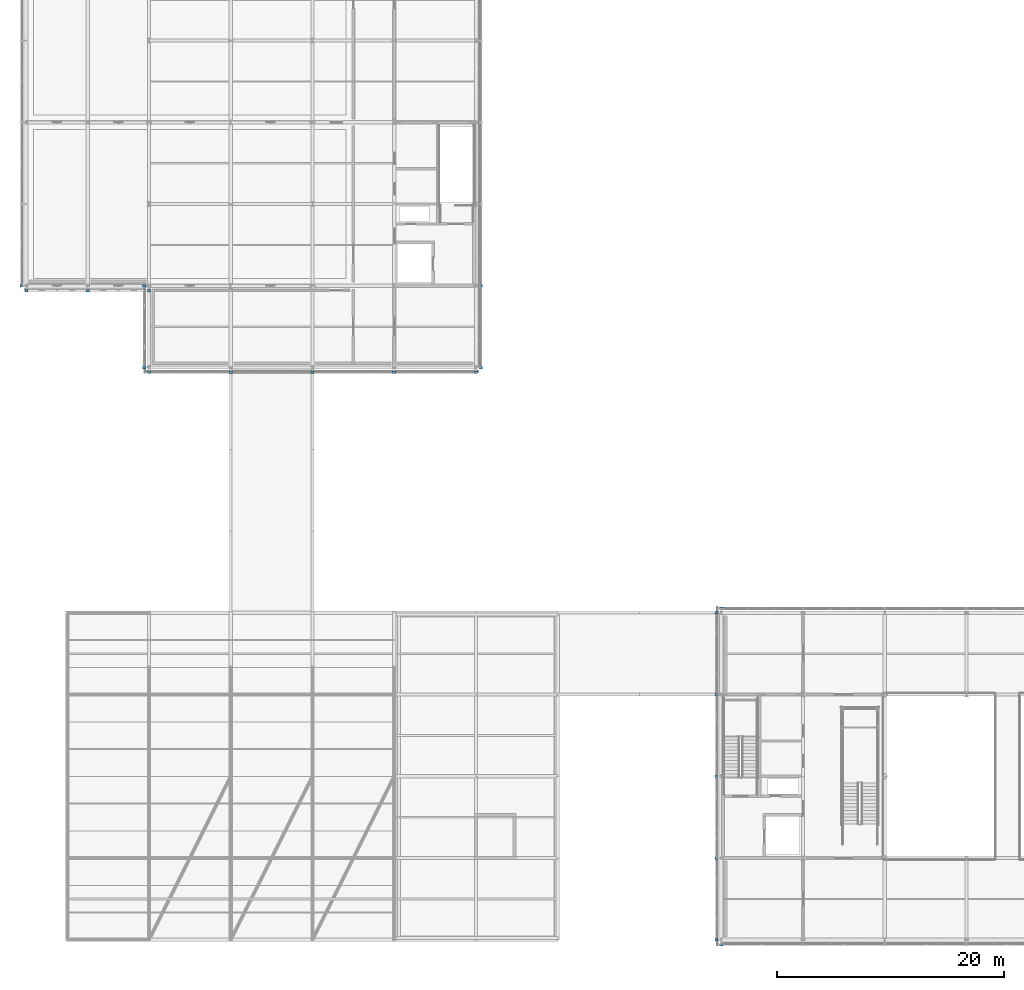
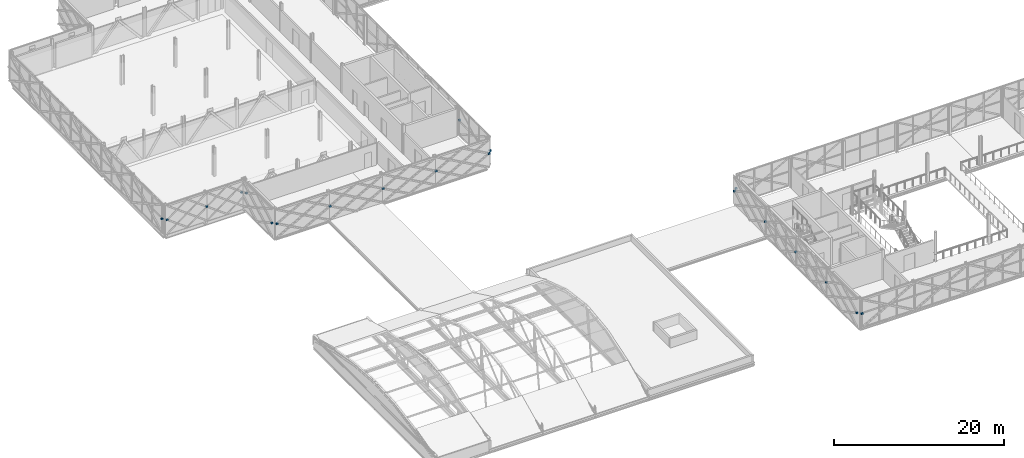
# One storey, part 92 of 103: 20 discrete accessories.
"""IFC4 building model written with IfcOpenShell, lengths in metres."""

from ifc_helpers import new_model, si_unit, direction, frame, origin, origin_2d, place, context, subcontext, project, spatial, rectangle, extrude, material, type_object, element, save


model = new_model("IFC4")

# Units and contexts
model_context = context("Model", 3, precision=1e-05, world=origin(), true_north=direction((0.0, 1.0)))
body_context = subcontext(model_context, "Body", "Model", "MODEL_VIEW")
ifc_project = project(units=[si_unit("LENGTHUNIT", "METRE"), si_unit("AREAUNIT", "SQUARE_METRE"), si_unit("VOLUMEUNIT", "CUBIC_METRE"), si_unit("PLANEANGLEUNIT", "RADIAN"), si_unit("MASSUNIT", "GRAM", prefix="KILO")], contexts=[model_context])

# Site, building, storey
site_placement = place(None, origin())
site = spatial("IfcSite", under=ifc_project, at=site_placement, CompositionType="ELEMENT")
building_placement = place(site_placement, origin())
building = spatial("IfcBuilding", under=site, at=building_placement, Name="Zlatovets Crest Museum", CompositionType="ELEMENT")
storey_placement = place(building_placement, frame((0.0, 0.0, 12.89990234375)))
storey = spatial("IfcBuildingStorey", under=building, at=storey_placement, Name="L03", CompositionType="ELEMENT", Elevation=12.89990234375)

# Discrete accessories
ifc_material = material(Name="Structural steel S355J2", Category="steel")
discrete_accessory_type = type_object("IfcDiscreteAccessoryType", Name="LatticeBracket_BK01", PredefinedType="BRACKET", material=ifc_material)
for number, where, z_axis, x_axis, name in (
    (1, (57.60009765625, -0.419921875, 1.990234375), (0.0, 0.0, 1.0), (1.0, 0.0, 0.0), "Bronze Lattice Structural Collector Bracket"),
    (2, (57.60009765625, 29.219970703125, 1.990234375), (0.0, 0.0, 1.0), (1.0, 0.0, 0.0), "Bronze Lattice Structural Collector Bracket"),
    (3, (57.179931640625, 28.800048828125, 1.990234375), (0.0, 0.0, 1.0), (1.0, 0.0, 0.0), "Bronze Lattice Structural Collector Bracket"),
    (4, (57.179931640625, 21.60009765625, 1.990234375), (0.0, 0.0, 1.0), (1.0, 0.0, 0.0), "Bronze Lattice Structural Collector Bracket"),
    (5, (57.179931640625, 14.39990234375, 1.990234375), (0.0, 0.0, 1.0), (1.0, 0.0, 0.0), "Bronze Lattice Structural Collector Bracket"),
    (6, (57.179931640625, 7.199951171875, 1.990234375), (0.0, 0.0, 1.0), (1.0, 0.0, 0.0), "Bronze Lattice Structural Collector Bracket"),
    (7, (57.179931640625, 0.0, 1.990234375), (0.0, 0.0, 1.0), (1.0, 0.0, 0.0), "Bronze Lattice Structural Collector Bracket"),
    (8, (7.199951171875, 49.97998046875, 1.990234375), (0.0, 0.0, 1.0), (1.0, 0.0, 0.0), "Bronze Lattice Structural Collector Bracket"),
    (9, (14.39990234375, 49.97998046875, 1.990234375), (0.0, 0.0, 1.0), (1.0, 0.0, 0.0), "Bronze Lattice Structural Collector Bracket"),
    (10, (21.60009765625, 49.97998046875, 1.990234375), (0.0, 0.0, 1.0), (1.0, 0.0, 0.0), "Bronze Lattice Structural Collector Bracket"),
    (11, (28.800048828125, 49.97998046875, 1.990234375), (0.0, 0.0, 1.0), (1.0, 0.0, 0.0), "Bronze Lattice Structural Collector Bracket"),
    (12, (36.0, 49.97998046875, 1.990234375), (0.0, 0.0, 1.0), (1.0, 0.0, 0.0), "Bronze Lattice Structural Collector Bracket"),
    (13, (36.419921875, 50.39990234375, 1.990234375), (0.0, 0.0, 1.0), (1.0, 0.0, 0.0), "Bronze Lattice Structural Collector Bracket"),
    (14, (36.419921875, 57.60009765625, 1.990234375), (0.0, 0.0, 1.0), (1.0, 0.0, 0.0), "Bronze Lattice Structural Collector Bracket"),
    (15, (-4.02001953125, 57.60009765625, 1.990234375), (0.0, 0.0, 1.0), (1.0, 0.0, 0.0), "Bronze Lattice Structural Collector Bracket"),
    (16, (-3.60009765625, 57.179931640625, 1.990234375), (0.0, 0.0, 1.0), (1.0, 0.0, 0.0), "Bronze Lattice Structural Collector Bracket"),
    (17, (1.800048828125, 57.179931640625, 1.990234375), (0.0, 0.0, 1.0), (1.0, 0.0, 0.0), "Bronze Lattice Structural Collector Bracket"),
    (18, (7.199951171875, 57.179931640625, 1.990234375), (0.0, 0.0, 1.0), (1.0, 0.0, 0.0), "Bronze Lattice Structural Collector Bracket"),
    (19, (6.780029296875, 57.60009765625, 1.990234375), (0.0, 0.0, 1.0), (1.0, 0.0, 0.0), "Bronze Lattice Structural Collector Bracket"),
    (20, (6.780029296875, 50.39990234375, 1.990234375), (0.0, 0.0, 1.0), (1.0, 0.0, 0.0), "Bronze Lattice Structural Collector Bracket"),
):
    element("IfcDiscreteAccessory", number, at=place(storey_placement, frame(where, z_axis=z_axis, x_axis=x_axis)), inside=storey, type_object=discrete_accessory_type, Name=name, PredefinedType="BRACKET", context=body_context, shape_type="SweptSolid", body=[
        extrude(rectangle(XDim=0.280029296875, YDim=0.219970703125, at=origin_2d()), origin(), (0.0, 0.0, 1.0), 0.219970703125),
    ])

save(model, "model.ifc")
